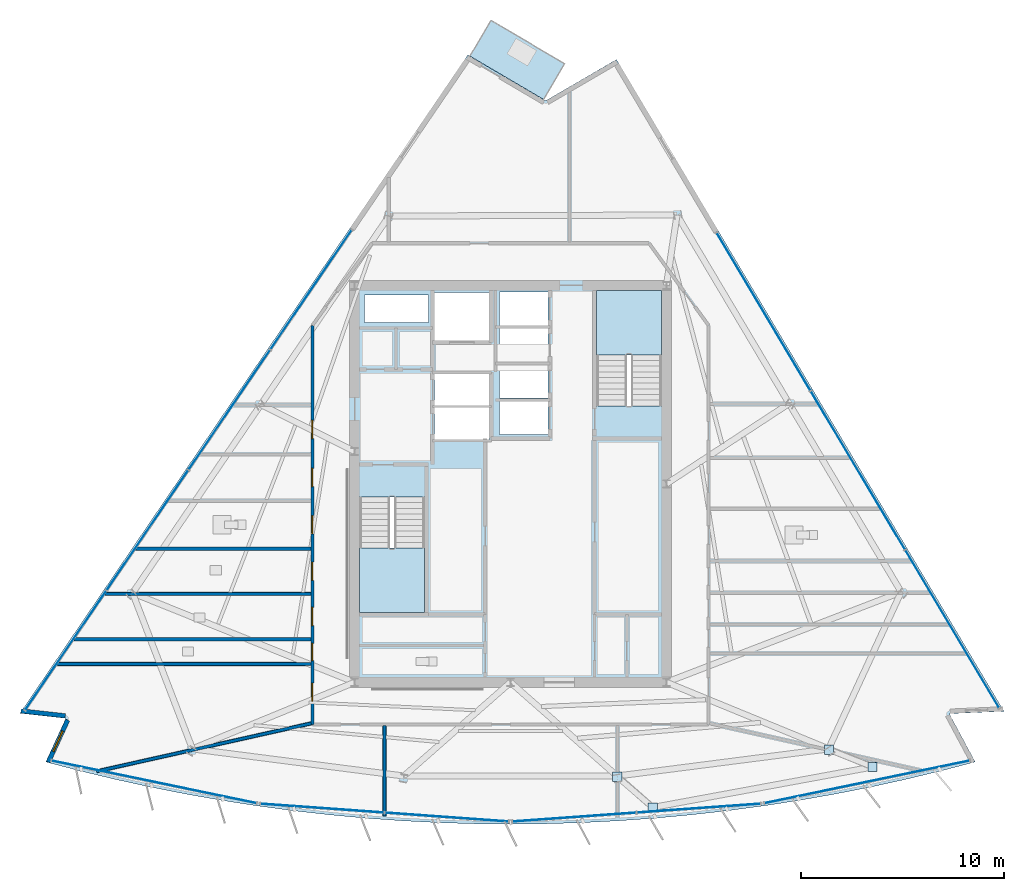
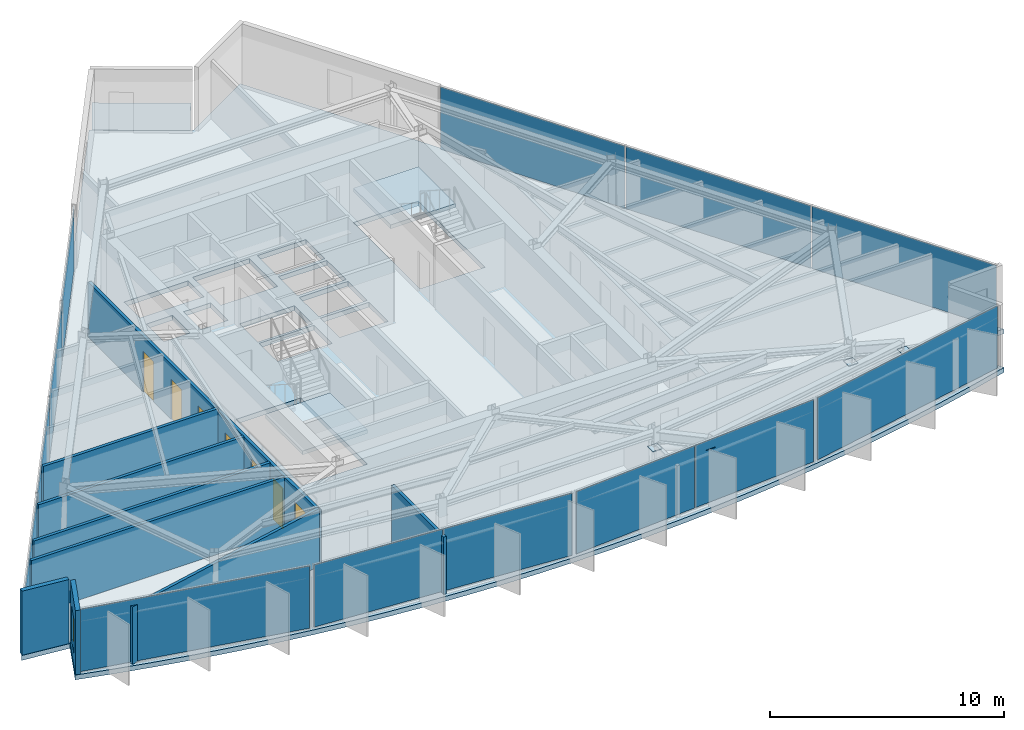
# One storey, part 6 of 13: 17 plates, 9 walls, 7 doors, 4 slabs, 1 window, 8 openings, 8 elements without a shape of their own.
"""IFC4 building model written with IfcOpenShell, lengths in metres."""

from ifc_helpers import new_model, si_unit, direction, frame, frame_2d, origin, origin_2d, place, context, subcontext, project, spatial, polyline, rectangle, outline, extrude, material, layer, layer_set, type_object, element, fill, aggregate, save


model = new_model("IFC4")

# Units and contexts
model_context = context("Model", 3, precision=1e-05, world=origin(), true_north=direction((0.0, 1.0)))
body_context = subcontext(model_context, "Body", "Model", "MODEL_VIEW")
ifc_project = project(units=[si_unit("LENGTHUNIT", "METRE"), si_unit("AREAUNIT", "SQUARE_METRE"), si_unit("VOLUMEUNIT", "CUBIC_METRE"), si_unit("PLANEANGLEUNIT", "RADIAN"), si_unit("MASSUNIT", "GRAM", prefix="KILO")], contexts=[model_context])

# Site, building, storey
site_placement = place(None, origin())
site = spatial("IfcSite", under=ifc_project, at=site_placement, CompositionType="ELEMENT")
building_placement = place(site_placement, origin())
building = spatial("IfcBuilding", under=site, at=building_placement, Name="Savorim Split Tower", CompositionType="ELEMENT")
storey_placement = place(building_placement, frame((0.0, 0.0, 258.0)))
storey = spatial("IfcBuildingStorey", under=building, at=storey_placement, Name="L68", CompositionType="ELEMENT", Elevation=258.0)

# Curtain wall, plate
ifc_material_1 = material(Name="Dark Ceramic-Fritted Insulated Glass", Category="glass")
curtain_wall_type = type_object("IfcCurtainWallType", Name="CW-TWR-FRIT-B", PredefinedType="NOTDEFINED", material=ifc_material_1)
curtain_wall_1_placement = place(storey_placement, origin())
curtain_wall_1 = element("IfcCurtainWall", 1, at=curtain_wall_1_placement, inside=storey, type_object=curtain_wall_type, Name="L68 Curtain Wall CW-L68-SF1", PredefinedType="NOTDEFINED")
ifc_layer_1 = layer(ifc_material_1, 0.02587890625)
ifc_layer_set_1 = layer_set([ifc_layer_1], Name="CWP-FRITB-26")
plate_type_1 = type_object("IfcPlateType", Name="CWP-FRITB-26", PredefinedType="CURTAIN_PANEL", material=ifc_layer_set_1)
plate_1_placement = place(storey_placement, frame((-17.60107421875, -14.31982421875, 0.050048828125), z_axis=(0.0, 0.0, 1.0), x_axis=(0.979135673129, -0.20320761208, 0.0)))
plate_1 = element("IfcPlate", 2, at=plate_1_placement, type_object=plate_type_1, Name="CW-03 panel 1.1", PredefinedType="CURTAIN_PANEL", context=body_context, shape_type="SweptSolid", body=[
    extrude(rectangle(XDim=10.310302734375, YDim=0.02587890625, at=origin_2d()), origin(), (0.0, 0.0, 1.0), 3.25),
])
aggregate(curtain_wall_1, [plate_1])

# Curtain wall, plates
curtain_wall_2_placement = place(storey_placement, origin())
curtain_wall_2 = element("IfcCurtainWall", 3, at=curtain_wall_2_placement, inside=storey, type_object=curtain_wall_type, Name="L68 Curtain Wall CW-L68-SF2", PredefinedType="NOTDEFINED")
plate_2_placement = place(storey_placement, frame((-9.291748046875, -15.6162109375, 0.050048828125), z_axis=(0.0, 0.0, 1.0), x_axis=(0.997436125678, -0.071562386711, 0.0)))
plate_2 = element("IfcPlate", 4, at=plate_2_placement, type_object=plate_type_1, Name="CW-03 panel 1.1", PredefinedType="CURTAIN_PANEL", context=body_context, shape_type="SweptSolid", body=[
    extrude(rectangle(XDim=6.09619140625, YDim=0.02587890625, at=origin_2d()), origin(), (0.0, 0.0, 1.0), 3.25),
])
plate_3_placement = place(storey_placement, frame((-3.1513671875, -16.056884765625, 0.050048828125), z_axis=(0.0, 0.0, 1.0), x_axis=(0.997436125678, -0.071562386711, 0.0)))
plate_3 = element("IfcPlate", 5, at=plate_3_placement, type_object=plate_type_1, Name="CW-03 panel 2.1", PredefinedType="CURTAIN_PANEL", context=body_context, shape_type="SweptSolid", body=[
    extrude(rectangle(XDim=6.09619140625, YDim=0.02587890625, at=origin_2d()), origin(), (0.0, 0.0, 1.0), 3.25),
])
aggregate(curtain_wall_2, [plate_2, plate_3])

curtain_wall_3_placement = place(storey_placement, origin())
curtain_wall_3 = element("IfcCurtainWall", 6, at=curtain_wall_3_placement, inside=storey, type_object=curtain_wall_type, Name="L68 Curtain Wall CW-L68-SF3", PredefinedType="NOTDEFINED")
plate_4_placement = place(storey_placement, frame((3.1513671875, -16.056884765625, 0.050048828125), z_axis=(0.0, 0.0, 1.0), x_axis=(0.997436125678, 0.071562386711, 0.0)))
plate_4 = element("IfcPlate", 7, at=plate_4_placement, type_object=plate_type_1, Name="CW-03 panel 1.1", PredefinedType="CURTAIN_PANEL", context=body_context, shape_type="SweptSolid", body=[
    extrude(rectangle(XDim=6.09619140625, YDim=0.02587890625, at=origin_2d()), origin(), (0.0, 0.0, 1.0), 3.25),
])
plate_5_placement = place(storey_placement, frame((9.291748046875, -15.6162109375, 0.050048828125), z_axis=(0.0, 0.0, 1.0), x_axis=(0.997436125678, 0.071562386711, 0.0)))
plate_5 = element("IfcPlate", 8, at=plate_5_placement, type_object=plate_type_1, Name="CW-03 panel 2.1", PredefinedType="CURTAIN_PANEL", context=body_context, shape_type="SweptSolid", body=[
    extrude(rectangle(XDim=6.09619140625, YDim=0.02587890625, at=origin_2d()), origin(), (0.0, 0.0, 1.0), 3.25),
])
aggregate(curtain_wall_3, [plate_4, plate_5])

# Curtain wall, plate
curtain_wall_4_placement = place(storey_placement, origin())
curtain_wall_4 = element("IfcCurtainWall", 9, at=curtain_wall_4_placement, inside=storey, type_object=curtain_wall_type, Name="L68 Curtain Wall CW-L68-SF4", PredefinedType="NOTDEFINED")
plate_6_placement = place(storey_placement, frame((17.60107421875, -14.31982421875, 0.050048828125), z_axis=(0.0, 0.0, 1.0), x_axis=(0.979135673129, 0.20320761208, 0.0)))
plate_6 = element("IfcPlate", 10, at=plate_6_placement, type_object=plate_type_1, Name="CW-03 panel 1.1", PredefinedType="CURTAIN_PANEL", context=body_context, shape_type="SweptSolid", body=[
    extrude(rectangle(XDim=10.310302734375, YDim=0.02587890625, at=origin_2d()), origin(), (0.0, 0.0, 1.0), 3.25),
])
aggregate(curtain_wall_4, [plate_6])

# Curtain wall, plates
curtain_wall_5_placement = place(storey_placement, origin())
curtain_wall_5 = element("IfcCurtainWall", 11, at=curtain_wall_5_placement, inside=storey, type_object=curtain_wall_type, Name="L68 Curtain Wall CW-L68-EAST", PredefinedType="NOTDEFINED")
plate_7_placement = place(storey_placement, frame((21.8134765625, -6.76904296875, 0.050048828125), z_axis=(0.0, 0.0, 1.0), x_axis=(-0.511090267573, 0.859527043432, 0.0)))
plate_7 = element("IfcPlate", 12, at=plate_7_placement, type_object=plate_type_1, Name="CW-03 panel 1.1", PredefinedType="CURTAIN_PANEL", context=body_context, shape_type="SweptSolid", body=[
    extrude(rectangle(XDim=9.0380859375, YDim=0.02587890625, at=origin_2d()), origin(), (0.0, 0.0, 1.0), 3.25),
])
plate_8_placement = place(storey_placement, frame((17.15576171875, 1.064208984375, 0.050048828125), z_axis=(0.0, 0.0, 1.0), x_axis=(-0.511090267573, 0.859527043432, 0.0)))
plate_8 = element("IfcPlate", 13, at=plate_8_placement, type_object=plate_type_1, Name="CW-03 panel 2.1", PredefinedType="CURTAIN_PANEL", context=body_context, shape_type="SweptSolid", body=[
    extrude(rectangle(XDim=9.068115234375, YDim=0.02587890625, at=origin_2d()), origin(), (0.0, 0.0, 1.0), 3.25),
])
plate_9_placement = place(storey_placement, frame((12.498046875, 8.897216796875, 0.050048828125), z_axis=(0.0, 0.0, 1.0), x_axis=(-0.511090267573, 0.859527043432, 0.0)))
plate_9 = element("IfcPlate", 14, at=plate_9_placement, type_object=plate_type_1, Name="CW-03 panel 3.1", PredefinedType="CURTAIN_PANEL", context=body_context, shape_type="SweptSolid", body=[
    extrude(rectangle(XDim=9.0380859375, YDim=0.02587890625, at=origin_2d()), origin(), (0.0, 0.0, 1.0), 3.25),
])
aggregate(curtain_wall_5, [plate_7, plate_8, plate_9])

curtain_wall_6_placement = place(storey_placement, origin())
curtain_wall_6 = element("IfcCurtainWall", 15, at=curtain_wall_6_placement, inside=storey, type_object=curtain_wall_type, Name="L68 Curtain Wall CW-L68-WEST", PredefinedType="NOTDEFINED")
plate_10_placement = place(storey_placement, frame((-9.847900390625, 9.9853515625, 0.050048828125), z_axis=(0.0, 0.0, 1.0), x_axis=(-0.562470325215, -0.826817472755, 0.0)))
plate_10 = element("IfcPlate", 16, at=plate_10_placement, type_object=plate_type_1, Name="CW-03 panel 1.1", PredefinedType="CURTAIN_PANEL", context=body_context, shape_type="SweptSolid", body=[
    extrude(rectangle(XDim=7.1015625, YDim=0.02587890625, at=origin_2d()), origin(), (0.0, 0.0, 1.0), 3.25),
])
plate_11_placement = place(storey_placement, frame((-13.884521484375, 4.0517578125, 0.050048828125), z_axis=(0.0, 0.0, 1.0), x_axis=(-0.562470325215, -0.826817472755, 0.0)))
plate_11 = element("IfcPlate", 17, at=plate_11_placement, type_object=plate_type_1, Name="CW-03 panel 2.1", PredefinedType="CURTAIN_PANEL", context=body_context, shape_type="SweptSolid", body=[
    extrude(rectangle(XDim=7.131591796875, YDim=0.02587890625, at=origin_2d()), origin(), (0.0, 0.0, 1.0), 3.25),
])
plate_12_placement = place(storey_placement, frame((-17.929443359375, -1.894287109375, 0.050048828125), z_axis=(0.0, 0.0, 1.0), x_axis=(-0.562470325215, -0.826817472755, 0.0)))
plate_12 = element("IfcPlate", 18, at=plate_12_placement, type_object=plate_type_1, Name="CW-03 panel 3.1", PredefinedType="CURTAIN_PANEL", context=body_context, shape_type="SweptSolid", body=[
    extrude(rectangle(XDim=7.131591796875, YDim=0.02587890625, at=origin_2d()), origin(), (0.0, 0.0, 1.0), 3.25),
])
plate_13_placement = place(storey_placement, frame((-21.966064453125, -7.827880859375, 0.050048828125), z_axis=(0.0, 0.0, 1.0), x_axis=(-0.562470325215, -0.826817472755, 0.0)))
plate_13 = element("IfcPlate", 19, at=plate_13_placement, type_object=plate_type_1, Name="CW-03 panel 4.1", PredefinedType="CURTAIN_PANEL", context=body_context, shape_type="SweptSolid", body=[
    extrude(rectangle(XDim=7.1015625, YDim=0.02587890625, at=origin_2d()), origin(), (0.0, 0.0, 1.0), 3.25),
])
aggregate(curtain_wall_6, [plate_10, plate_11, plate_12, plate_13])

# Plates
ifc_material_2 = material(Name="Steel S460", Category="steel")
ifc_layer_2 = layer(ifc_material_2, 0.02490234375)
ifc_layer_set_2 = layer_set([ifc_layer_2], Name="PLT-NODE-CN1")
plate_type_2 = type_object("IfcPlateType", Name="PLT-NODE-CN1", PredefinedType="SHEET", material=ifc_layer_set_2)
for number, where, z_axis, x_axis, name in (
    (20, (5.271728515625, -14.06884765625, 2.4375), (0.0, 0.0, 1.0), (1.0, 0.0, 0.0), "L68 Bay Strut Column Gusset Plate 1"),
    (21, (7.028564453125, -15.580078125, 2.8076171875), (0.0, 0.0, 1.0), (1.0, 0.0, 0.0), "L68 Bay Strut Tip Gusset Plate 1"),
    (22, (15.729248046875, -12.726318359375, 2.4375), (0.0, 0.0, 1.0), (1.0, 0.0, 0.0), "L68 Bay Strut Column Gusset Plate 2"),
    (23, (17.87939453125, -13.58056640625, 2.8076171875), (0.0, 0.0, 1.0), (1.0, 0.0, 0.0), "L68 Bay Strut Tip Gusset Plate 2"),
):
    element("IfcPlate", number, at=place(storey_placement, frame(where, z_axis=z_axis, x_axis=x_axis)), inside=storey, type_object=plate_type_2, Name=name, PredefinedType="SHEET", context=body_context, shape_type="SweptSolid", body=[
        extrude(rectangle(XDim=0.4599609375, YDim=0.4599609375, at=origin_2d()), origin(), (0.0, 0.0, 1.0), 0.02490234375),
    ])

# Slab
ifc_material_3 = material(Name="Concrete C50/60", Category="concrete")
ifc_layer_3 = layer(ifc_material_3, 0.219970703125)
ifc_layer_set_3 = layer_set([ifc_layer_3], Name="SLB-BAL-220")
slab_type_1 = type_object("IfcSlabType", Name="SLB-BAL-220", PredefinedType="FLOOR", material=ifc_layer_set_3)
slab_1_placement = place(storey_placement, frame((0.0, 0.0, -0.219970703125)))
element("IfcSlab", 24, at=slab_1_placement, inside=storey, type_object=slab_type_1, Name="L68 Notched Corner Planted Tree Balcony Slab", PredefinedType="FLOOR", context=body_context, shape_type="SweptSolid", body=[
    extrude(outline(polyline([(-2.001708984375, 21.5205078125), (1.63623046875, 19.38232421875), (2.67236328125, 21.1455078125), (-0.96533203125, 23.283447265625), (-2.001708984375, 21.5205078125)])), origin(), (0.0, 0.0, 1.0), 0.219970703125),
])

# Stair, slab
stair_type = type_object("IfcStairType", Name="STR-DOG-3600", PredefinedType="HALF_TURN_STAIR", material=ifc_material_3)
stair_1_placement = place(storey_placement, origin())
stair_1 = element("IfcStair", 25, at=stair_1_placement, inside=storey, type_object=stair_type, Name="L68 Core Protected Exit Stair ST-1", PredefinedType="HALF_TURN_STAIR")
ifc_layer_4 = layer(ifc_material_3, 0.199951171875)
ifc_layer_set_4 = layer_set([ifc_layer_4], Name="SLB-LND-200")
slab_type_2 = type_object("IfcSlabType", Name="SLB-LND-200", PredefinedType="LANDING", material=ifc_layer_set_4)
slab_2_placement = place(storey_placement, frame((0.0, 0.0, 1.60009765625)))
slab_2 = element("IfcSlab", 26, at=slab_2_placement, type_object=slab_type_2, Name="ST-1 landing 1", PredefinedType="LANDING", context=body_context, shape_type="SweptSolid", body=[
    extrude(outline(polyline([(-7.449951171875, -2.77001953125), (-7.449951171875, -5.949951171875), (-4.25, -5.949951171875), (-4.25, -2.77001953125), (-7.449951171875, -2.77001953125)])), origin(), (0.0, 0.0, 1.0), 0.199951171875),
])
aggregate(stair_1, [slab_2])

stair_2_placement = place(storey_placement, origin())
stair_2 = element("IfcStair", 27, at=stair_2_placement, inside=storey, type_object=stair_type, Name="L68 Core Protected Exit Stair ST-2", PredefinedType="HALF_TURN_STAIR")
slab_3_placement = place(storey_placement, frame((0.0, 0.0, 1.60009765625)))
slab_3 = element("IfcSlab", 28, at=slab_3_placement, type_object=slab_type_2, Name="ST-2 landing 1", PredefinedType="LANDING", context=body_context, shape_type="SweptSolid", body=[
    extrude(outline(polyline([(7.449951171875, 6.77001953125), (7.449951171875, 9.949951171875), (4.25, 9.949951171875), (4.25, 6.77001953125), (7.449951171875, 6.77001953125)])), origin(), (0.0, 0.0, 1.0), 0.199951171875),
])
aggregate(stair_2, [slab_3])

# Slab
ifc_layer_5 = layer(ifc_material_3, 0.25)
ifc_layer_set_5 = layer_set([ifc_layer_5], Name="SLB-TWR-250")
slab_type_3 = type_object("IfcSlabType", Name="SLB-TWR-250", PredefinedType="FLOOR", material=ifc_layer_set_5)
slab_4_placement = place(storey_placement, frame((0.0, 0.0, -0.25)))
element("IfcSlab", 29, at=slab_4_placement, inside=storey, type_object=slab_type_3, Name="L68 Structural Floor Slab", PredefinedType="FLOOR", context=body_context, shape_type="SweptSolid", body=[
    extrude(outline(polyline([(-22.947265625, -13.332763671875), (-21.21923828125, -13.78466796875), (-19.482421875, -14.201171875), (-17.7373046875, -14.58203125), (-15.984619140625, -14.927001953125), (-14.2255859375, -15.236083984375), (-12.46044921875, -15.50927734375), (-10.690185546875, -15.74609375), (-8.915283203125, -15.94677734375), (-7.13671875, -16.111083984375), (-5.35498046875, -16.23876953125), (-3.5712890625, -16.330078125), (-1.785888671875, -16.385009765625), (0.0, -16.4033203125), (1.785888671875, -16.385009765625), (3.5712890625, -16.330078125), (5.35498046875, -16.23876953125), (7.13671875, -16.111083984375), (8.915283203125, -15.94677734375), (10.690185546875, -15.74609375), (12.46044921875, -15.50927734375), (14.2255859375, -15.236083984375), (15.984619140625, -14.927001953125), (17.7373046875, -14.58203125), (19.482421875, -14.201171875), (21.21923828125, -13.78466796875), (22.947265625, -13.332763671875), (21.667236328125, -10.947509765625), (24.369384765625, -10.83251953125), (5.23095703125, 21.353515625), (1.7373046875, 19.317138671875), (-2.107666015625, 21.576904296875), (-24.219970703125, -10.927734375), (-21.958251953125, -11.180419921875), (-22.947265625, -13.332763671875)]), holes=[polyline([(-7.449951171875, -0.25390625), (-7.449951171875, -5.949951171875), (-4.25, -5.949951171875), (-4.25, -0.25390625), (-7.449951171875, -0.25390625)]), polyline([(7.449951171875, 4.25390625), (7.449951171875, 9.949951171875), (4.25, 9.949951171875), (4.25, 4.25390625), (7.449951171875, 4.25390625)]), polyline([(-0.550048828125, 2.830078125), (1.85009765625, 2.830078125), (1.85009765625, 4.469970703125), (-0.550048828125, 4.469970703125), (-0.550048828125, 2.830078125)]), polyline([(-0.550048828125, 4.6298828125), (1.85009765625, 4.6298828125), (1.85009765625, 6.27001953125), (-0.550048828125, 6.27001953125), (-0.550048828125, 4.6298828125)]), polyline([(-0.550048828125, 6.429931640625), (1.85009765625, 6.429931640625), (1.85009765625, 8.070068359375), (-0.550048828125, 8.070068359375), (-0.550048828125, 6.429931640625)]), polyline([(-0.550048828125, 8.22998046875), (1.85009765625, 8.22998046875), (1.85009765625, 9.8701171875), (-0.550048828125, 9.8701171875), (-0.550048828125, 8.22998046875)]), polyline([(-3.75, 2.60009765625), (-1.050048828125, 2.60009765625), (-1.050048828125, 4.159912109375), (-3.75, 4.159912109375), (-3.75, 2.60009765625)]), polyline([(-3.75, 4.280029296875), (-1.050048828125, 4.280029296875), (-1.050048828125, 5.840087890625), (-3.75, 5.840087890625), (-3.75, 4.280029296875)]), polyline([(-3.75, 7.449951171875), (-0.949951171875, 7.449951171875), (-0.949951171875, 9.85009765625), (-3.75, 9.85009765625), (-3.75, 7.449951171875)]), polyline([(-7.219970703125, 6.320068359375), (-5.919921875, 6.320068359375), (-5.919921875, 7.820068359375), (-7.219970703125, 7.820068359375), (-7.219970703125, 6.320068359375)]), polyline([(-5.3798828125, 6.320068359375), (-4.050048828125, 6.320068359375), (-4.050048828125, 7.820068359375), (-5.3798828125, 7.820068359375), (-5.3798828125, 6.320068359375)]), polyline([(-7.219970703125, 8.360107421875), (-4.050048828125, 8.360107421875), (-4.050048828125, 9.719970703125), (-7.219970703125, 9.719970703125), (-7.219970703125, 8.360107421875)])]), origin(), (0.0, 0.0, 1.0), 0.25),
])

# Wall
ifc_material_4 = material(Name="Precast concrete C40/50", Category="concrete")
ifc_layer_6 = layer(ifc_material_4, 0.219970703125)
ifc_layer_set_6 = layer_set([ifc_layer_6], Name="WAL-EXT-CRN220")
wall_type_1 = type_object("IfcWallType", Name="WAL-EXT-CRN220", PredefinedType="SOLIDWALL", material=ifc_layer_set_6)
wall_1_placement = place(storey_placement, frame((-21.984619140625, -11.056640625, 0.0), z_axis=(0.0, 0.0, 1.0), x_axis=(-0.993823926228, 0.110968480463, 0.0)))
element("IfcWall", 30, at=wall_1_placement, inside=storey, type_object=wall_type_1, Name="L68 Notched Corner Facade Wall SW1", PredefinedType="SOLIDWALL", context=body_context, shape_type="SweptSolid", body=[
    extrude(rectangle(XDim=2.19580078125, YDim=0.219970703125, at=frame_2d((1.097900390625, 0.0))), origin(), (0.0, 0.0, 1.0), 3.35009765625),
])

# Wall, opening, window
wall_2_placement = place(storey_placement, frame((-22.821533203125, -13.3466796875, 0.0), z_axis=(0.0, 0.0, 1.0), x_axis=(0.417447808253, 0.908700900949, 0.0)))
wall_2 = element("IfcWall", 31, at=wall_2_placement, inside=storey, type_object=wall_type_1, Name="L68 Notched Corner Facade Wall SW", PredefinedType="SOLIDWALL", context=body_context, shape_type="SweptSolid", body=[
    extrude(rectangle(XDim=2.2890625, YDim=0.219970703125, at=frame_2d((1.14453125, 0.0))), origin(), (0.0, 0.0, 1.0), 3.35009765625),
])
opening_1_placement = place(wall_2_placement, frame((0.594482421875, 0.0, 0.6201171875)))
opening_1 = element("IfcOpeningElement", 32, at=opening_1_placement, cuts=wall_2, Name="Opening WN-09", PredefinedType="OPENING", context=body_context, shape_type="SweptSolid", body=[
    extrude(rectangle(XDim=1.10009765625, YDim=1.800048828125, at=frame_2d((0.550048828125, 0.89990234375))), frame((0.0, 0.119873046875, 0.0), z_axis=(0.0, -1.0, 0.0), x_axis=(1.0, 0.0, 0.0)), (0.0, 0.0, 1.0), 0.239990234375),
])
ifc_material_5 = material(Name="Low-E Operable Double Glazing", Category="glass")
window_type = type_object("IfcWindowType", Name="WIN-TWR-1100x1800", PartitioningType="SINGLE_PANEL", PredefinedType="WINDOW", material=ifc_material_5)
window_placement = place(opening_1_placement, origin())
window = element("IfcWindow", 33, at=window_placement, inside=storey, type_object=window_type, Name="L68 Operable Corner Window SW", OverallHeight=1.800048828125, OverallWidth=1.10009765625, PartitioningType="SINGLE_PANEL", PredefinedType="WINDOW", context=body_context, shape_type="SweptSolid", body=[
    extrude(rectangle(XDim=1.10009765625, YDim=1.800048828125, at=frame_2d((0.550048828125, 0.89990234375))), frame((0.0, 0.030029296875, 0.0), z_axis=(0.0, -1.0, 0.0), x_axis=(1.0, 0.0, 0.0)), (0.0, 0.0, 1.0), 0.06005859375),
])
fill(opening_1, window)

# Wall, openings, doors
ifc_material_6 = material(Name="Acoustic Gypsum Partition Board")
ifc_layer_7 = layer(ifc_material_6, 0.14990234375)
ifc_layer_set_7 = layer_set([ifc_layer_7], Name="WAL-PAR-150")
wall_type_2 = type_object("IfcWallType", Name="WAL-PAR-150", PredefinedType="PARTITIONING", material=ifc_layer_set_7)
wall_3_placement = place(storey_placement, frame((-9.780029296875, -11.47998046875, 0.0), z_axis=(0.0, 0.0, 1.0), x_axis=(0.0, 1.0, 0.0)))
wall_3 = element("IfcWall", 34, at=wall_3_placement, inside=storey, type_object=wall_type_2, Name="L68 Partition W-L68-COR-01", PredefinedType="PARTITIONING", context=body_context, shape_type="SweptSolid", body=[
    extrude(rectangle(XDim=19.705810546875, YDim=0.14990234375, at=frame_2d((9.85302734375, 0.0))), origin(), (0.0, 0.0, 1.0), 2.875),
])
opening_2_placement = place(wall_3_placement, frame((9.40869140625, 0.0, 0.0)))
opening_2 = element("IfcOpeningElement", 35, at=opening_2_placement, cuts=wall_3, Name="Opening DI-11", PredefinedType="OPENING", context=body_context, shape_type="SweptSolid", body=[
    extrude(rectangle(XDim=0.89990234375, YDim=2.10009765625, at=frame_2d((0.449951171875, 1.050048828125))), frame((0.0, 0.0849609375, 0.0), z_axis=(0.0, -1.0, 0.0), x_axis=(1.0, 0.0, 0.0)), (0.0, 0.0, 1.0), 0.169921875),
])
opening_3_placement = place(wall_3_placement, frame((7.113037109375, 0.0, 0.0)))
opening_3 = element("IfcOpeningElement", 36, at=opening_3_placement, cuts=wall_3, Name="Opening DI-06", PredefinedType="OPENING", context=body_context, shape_type="SweptSolid", body=[
    extrude(rectangle(XDim=0.89990234375, YDim=2.10009765625, at=frame_2d((0.449951171875, 1.050048828125))), frame((0.0, 0.0849609375, 0.0), z_axis=(0.0, -1.0, 0.0), x_axis=(1.0, 0.0, 0.0)), (0.0, 0.0, 1.0), 0.169921875),
])
opening_4_placement = place(wall_3_placement, frame((4.87890625, 0.0, 0.0)))
opening_4 = element("IfcOpeningElement", 37, at=opening_4_placement, cuts=wall_3, Name="Opening DI-06", PredefinedType="OPENING", context=body_context, shape_type="SweptSolid", body=[
    extrude(rectangle(XDim=0.89990234375, YDim=2.10009765625, at=frame_2d((0.449951171875, 1.050048828125))), frame((0.0, 0.0849609375, 0.0), z_axis=(0.0, -1.0, 0.0), x_axis=(1.0, 0.0, 0.0)), (0.0, 0.0, 1.0), 0.169921875),
])
opening_5_placement = place(wall_3_placement, frame((3.147705078125, 0.0, 0.0)))
opening_5 = element("IfcOpeningElement", 38, at=opening_5_placement, cuts=wall_3, Name="Opening DI-13", PredefinedType="OPENING", context=body_context, shape_type="SweptSolid", body=[
    extrude(rectangle(XDim=0.85009765625, YDim=2.10009765625, at=frame_2d((0.425048828125, 1.050048828125))), frame((0.0, 0.0849609375, 0.0), z_axis=(0.0, -1.0, 0.0), x_axis=(1.0, 0.0, 0.0)), (0.0, 0.0, 1.0), 0.169921875),
])
opening_6_placement = place(wall_3_placement, frame((1.1337890625, 0.0, 0.0)))
opening_6 = element("IfcOpeningElement", 39, at=opening_6_placement, cuts=wall_3, Name="Opening DI-06", PredefinedType="OPENING", context=body_context, shape_type="SweptSolid", body=[
    extrude(rectangle(XDim=0.89990234375, YDim=2.10009765625, at=frame_2d((0.449951171875, 1.050048828125))), frame((0.0, 0.0849609375, 0.0), z_axis=(0.0, -1.0, 0.0), x_axis=(1.0, 0.0, 0.0)), (0.0, 0.0, 1.0), 0.169921875),
])
opening_7_placement = place(wall_3_placement, frame((14.109619140625, 0.0, 0.0)))
opening_7 = element("IfcOpeningElement", 40, at=opening_7_placement, cuts=wall_3, Name="Opening DI-06", PredefinedType="OPENING", context=body_context, shape_type="SweptSolid", body=[
    extrude(rectangle(XDim=0.89990234375, YDim=2.10009765625, at=frame_2d((0.449951171875, 1.050048828125))), frame((0.0, 0.0849609375, 0.0), z_axis=(0.0, -1.0, 0.0), x_axis=(1.0, 0.0, 0.0)), (0.0, 0.0, 1.0), 0.169921875),
])
opening_8_placement = place(wall_3_placement, frame((11.74072265625, 0.0, 0.0)))
opening_8 = element("IfcOpeningElement", 41, at=opening_8_placement, cuts=wall_3, Name="Opening DI-06", PredefinedType="OPENING", context=body_context, shape_type="SweptSolid", body=[
    extrude(rectangle(XDim=0.89990234375, YDim=2.10009765625, at=frame_2d((0.449951171875, 1.050048828125))), frame((0.0, 0.0849609375, 0.0), z_axis=(0.0, -1.0, 0.0), x_axis=(1.0, 0.0, 0.0)), (0.0, 0.0, 1.0), 0.169921875),
])
ifc_material_7 = material(Name="Timber Fire Door Leaf", Category="wood")
door_type_1 = type_object("IfcDoorType", Name="DOR-FIR-850", OperationType="NOTDEFINED", PredefinedType="DOOR", material=ifc_material_7)
door_1_placement = place(opening_5_placement, origin())
door_1 = element("IfcDoor", 42, at=door_1_placement, inside=storey, type_object=door_type_1, Name="DR-L68-RM04 - L68 Community Laundry Room Entry Door", OperationType="SINGLE_SWING_LEFT", OverallHeight=2.10009765625, OverallWidth=0.85009765625, PredefinedType="DOOR", context=body_context, shape_type="SweptSolid", body=[
    extrude(rectangle(XDim=0.85009765625, YDim=2.10009765625, at=frame_2d((0.425048828125, 1.050048828125))), frame((0.0, 0.02490234375, 0.0), z_axis=(0.0, -1.0, 0.0), x_axis=(1.0, 0.0, 0.0)), (0.0, 0.0, 1.0), 0.050048828125),
])
fill(opening_5, door_1)
door_type_2 = type_object("IfcDoorType", Name="DOR-FIR-900", OperationType="NOTDEFINED", PredefinedType="DOOR", material=ifc_material_7)
door_2_placement = place(opening_3_placement, origin())
door_2 = element("IfcDoor", 43, at=door_2_placement, inside=storey, type_object=door_type_2, Name="DR-L68-RM02 - L68 Shared Kitchen Entry Door", OperationType="SINGLE_SWING_LEFT", OverallHeight=2.10009765625, OverallWidth=0.89990234375, PredefinedType="DOOR", context=body_context, shape_type="SweptSolid", body=[
    extrude(rectangle(XDim=0.89990234375, YDim=2.10009765625, at=frame_2d((0.449951171875, 1.050048828125))), frame((0.0, 0.02490234375, 0.0), z_axis=(0.0, -1.0, 0.0), x_axis=(1.0, 0.0, 0.0)), (0.0, 0.0, 1.0), 0.050048828125),
])
fill(opening_3, door_2)
door_3_placement = place(opening_4_placement, origin())
door_3 = element("IfcDoor", 44, at=door_3_placement, inside=storey, type_object=door_type_2, Name="DR-L68-RM03 - L68 Shared Kitchen Entry Door", OperationType="SINGLE_SWING_RIGHT", OverallHeight=2.10009765625, OverallWidth=0.89990234375, PredefinedType="DOOR", context=body_context, shape_type="SweptSolid", body=[
    extrude(rectangle(XDim=0.89990234375, YDim=2.10009765625, at=frame_2d((0.449951171875, 1.050048828125))), frame((0.0, 0.02490234375, 0.0), z_axis=(0.0, -1.0, 0.0), x_axis=(1.0, 0.0, 0.0)), (0.0, 0.0, 1.0), 0.050048828125),
])
fill(opening_4, door_3)
door_4_placement = place(opening_6_placement, origin())
door_4 = element("IfcDoor", 45, at=door_4_placement, inside=storey, type_object=door_type_2, Name="DR-L68-RM05 - L68 Co-Working Commons Entry Door", OperationType="SINGLE_SWING_RIGHT", OverallHeight=2.10009765625, OverallWidth=0.89990234375, PredefinedType="DOOR", context=body_context, shape_type="SweptSolid", body=[
    extrude(rectangle(XDim=0.89990234375, YDim=2.10009765625, at=frame_2d((0.449951171875, 1.050048828125))), frame((0.0, 0.02490234375, 0.0), z_axis=(0.0, -1.0, 0.0), x_axis=(1.0, 0.0, 0.0)), (0.0, 0.0, 1.0), 0.050048828125),
])
fill(opening_6, door_4)
door_5_placement = place(opening_7_placement, origin())
door_5 = element("IfcDoor", 46, at=door_5_placement, inside=storey, type_object=door_type_2, Name="DR-L68-RM19 - L68 Co-Living Bedroom Entry Door", OperationType="SINGLE_SWING_RIGHT", OverallHeight=2.10009765625, OverallWidth=0.89990234375, PredefinedType="DOOR", context=body_context, shape_type="SweptSolid", body=[
    extrude(rectangle(XDim=0.89990234375, YDim=2.10009765625, at=frame_2d((0.449951171875, 1.050048828125))), frame((0.0, 0.02490234375, 0.0), z_axis=(0.0, -1.0, 0.0), x_axis=(1.0, 0.0, 0.0)), (0.0, 0.0, 1.0), 0.050048828125),
])
fill(opening_7, door_5)
door_6_placement = place(opening_8_placement, origin())
door_6 = element("IfcDoor", 47, at=door_6_placement, inside=storey, type_object=door_type_2, Name="DR-L68-RM20 - L68 Quiet Study Room Entry Door", OperationType="SINGLE_SWING_LEFT", OverallHeight=2.10009765625, OverallWidth=0.89990234375, PredefinedType="DOOR", context=body_context, shape_type="SweptSolid", body=[
    extrude(rectangle(XDim=0.89990234375, YDim=2.10009765625, at=frame_2d((0.449951171875, 1.050048828125))), frame((0.0, 0.02490234375, 0.0), z_axis=(0.0, -1.0, 0.0), x_axis=(1.0, 0.0, 0.0)), (0.0, 0.0, 1.0), 0.050048828125),
])
fill(opening_8, door_6)
ifc_material_8 = material(Name="Oak Veneer Acoustic Door")
door_type_3 = type_object("IfcDoorType", Name="DOR-WC-900", OperationType="NOTDEFINED", PredefinedType="DOOR", material=ifc_material_8)
door_7_placement = place(opening_2_placement, origin())
door_7 = element("IfcDoor", 48, at=door_7_placement, inside=storey, type_object=door_type_3, Name="DR-L68-RM01 - L68 Shared Bathroom Entry Door", OperationType="SINGLE_SWING_RIGHT", OverallHeight=2.10009765625, OverallWidth=0.89990234375, PredefinedType="DOOR", context=body_context, shape_type="SweptSolid", body=[
    extrude(rectangle(XDim=0.89990234375, YDim=2.10009765625, at=frame_2d((0.449951171875, 1.050048828125))), frame((0.0, 0.02490234375, 0.0), z_axis=(0.0, -1.0, 0.0), x_axis=(1.0, 0.0, 0.0)), (0.0, 0.0, 1.0), 0.050048828125),
])
fill(opening_2, door_7)

# Walls
wall_4_placement = place(storey_placement, frame((-9.837158203125, -11.42724609375, 0.0), z_axis=(0.0, 0.0, 1.0), x_axis=(-0.975894754953, -0.218241671676, 0.0)))
element("IfcWall", 49, at=wall_4_placement, inside=storey, type_object=wall_type_2, Name="L68 Partition W-L68-PRAD01", PredefinedType="PARTITIONING", context=body_context, shape_type="SweptSolid", body=[
    extrude(rectangle(XDim=10.861083984375, YDim=0.14990234375, at=frame_2d((5.4306640625, 0.0))), origin(), (0.0, 0.0, 1.0), 2.9951171875),
])
wall_5_placement = place(storey_placement, frame((-9.840087890625, -5.0283203125, 0.0), z_axis=(0.0, 0.0, 1.0), x_axis=(-1.0, 0.0, 0.0)))
element("IfcWall", 50, at=wall_5_placement, inside=storey, type_object=wall_type_2, Name="L68 Partition W-L68-PRAD10", PredefinedType="PARTITIONING", context=body_context, shape_type="SweptSolid", body=[
    extrude(rectangle(XDim=10.160888671875, YDim=0.14990234375, at=frame_2d((5.08056640625, 0.0))), origin(), (0.0, 0.0, 1.0), 2.875),
])
wall_6_placement = place(storey_placement, frame((-9.840087890625, -8.490966796875, 0.0), z_axis=(0.0, 0.0, 1.0), x_axis=(-1.0, 0.0, 0.0)))
element("IfcWall", 51, at=wall_6_placement, inside=storey, type_object=wall_type_2, Name="L68 Partition W-L68-SUB02", PredefinedType="PARTITIONING", context=body_context, shape_type="SweptSolid", body=[
    extrude(rectangle(XDim=12.5166015625, YDim=0.14990234375, at=frame_2d((6.25830078125, 0.0))), origin(), (0.0, 0.0, 1.0), 2.875),
])
wall_7_placement = place(storey_placement, frame((-9.840087890625, -2.8056640625, 0.0), z_axis=(0.0, 0.0, 1.0), x_axis=(-1.0, 0.0, 0.0)))
element("IfcWall", 52, at=wall_7_placement, inside=storey, type_object=wall_type_2, Name="L68 Partition W-L68-SUB05", PredefinedType="PARTITIONING", context=body_context, shape_type="SweptSolid", body=[
    extrude(rectangle(XDim=8.64892578125, YDim=0.14990234375, at=frame_2d((4.324462890625, 0.0))), origin(), (0.0, 0.0, 1.0), 2.9951171875),
])
wall_8_placement = place(storey_placement, frame((-9.840087890625, -7.273681640625, 0.0), z_axis=(0.0, 0.0, 1.0), x_axis=(-1.0, 0.0, 0.0)))
element("IfcWall", 53, at=wall_8_placement, inside=storey, type_object=wall_type_2, Name="L68 Partition W-L68-SUB06", PredefinedType="PARTITIONING", context=body_context, shape_type="SweptSolid", body=[
    extrude(rectangle(XDim=11.6884765625, YDim=0.14990234375, at=frame_2d((5.84423828125, 0.0))), origin(), (0.0, 0.0, 1.0), 2.875),
])
wall_9_placement = place(storey_placement, frame((-6.215087890625, -11.5400390625, 0.0), z_axis=(0.0, 0.0, 1.0), x_axis=(0.0, -1.0, 0.0)))
element("IfcWall", 54, at=wall_9_placement, inside=storey, type_object=wall_type_2, Name="L68 Partition W-L68-SUB07", PredefinedType="PARTITIONING", context=body_context, shape_type="SweptSolid", body=[
    extrude(rectangle(XDim=4.466552734375, YDim=0.14990234375, at=frame_2d((2.2333984375, 0.0))), origin(), (0.0, 0.0, 1.0), 2.9951171875),
])

save(model, "model.ifc")
